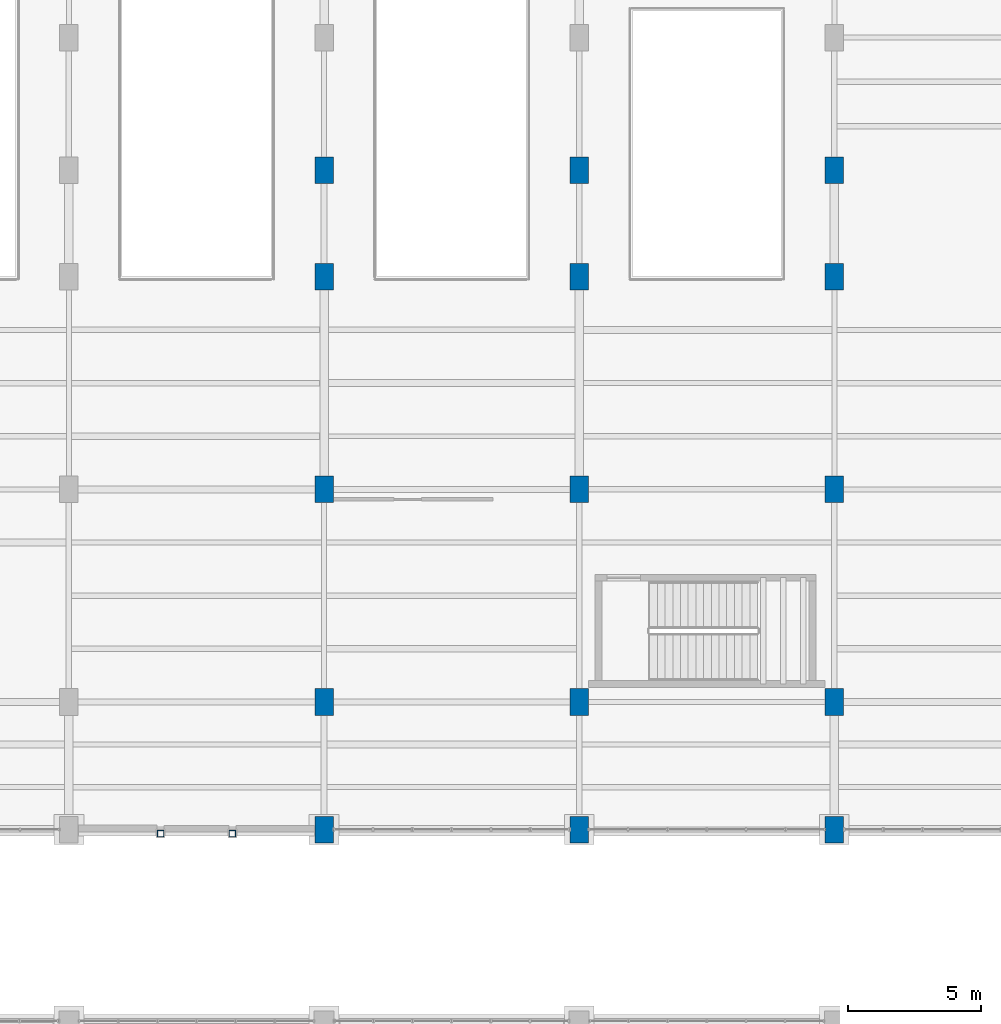
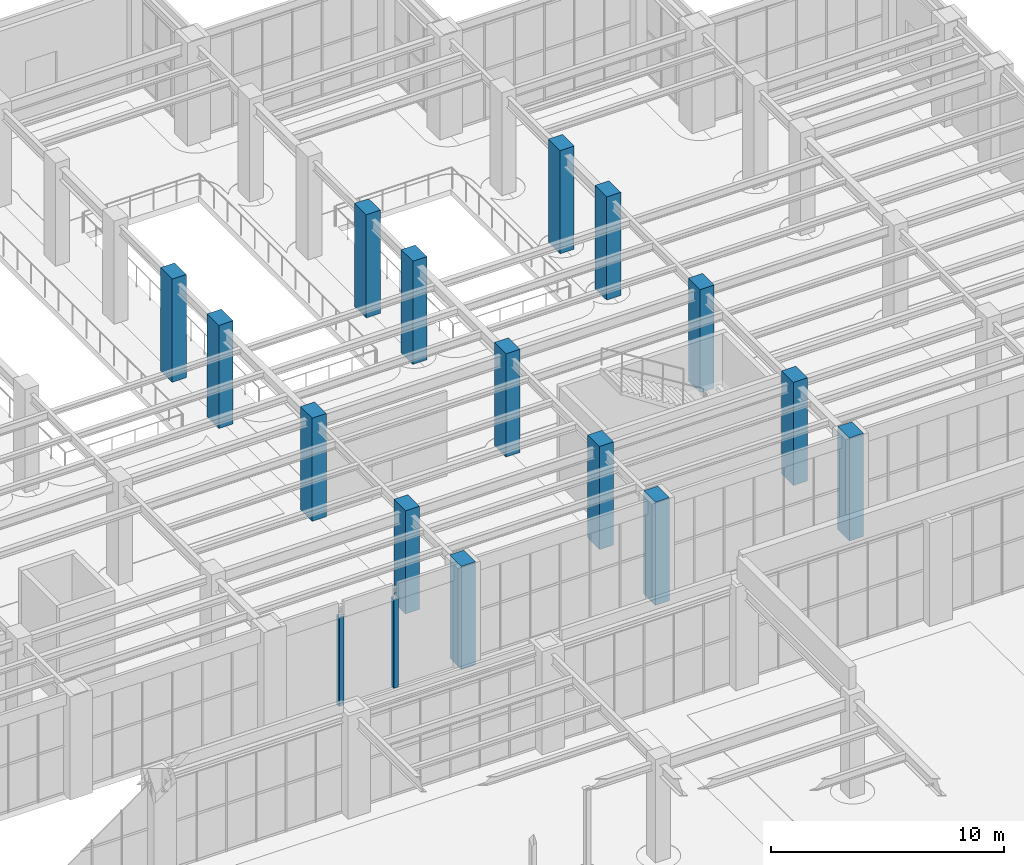
# One storey, part 21 of 164: 17 columns.
"""IFC4 building model written with IfcOpenShell, lengths in metres."""

from ifc_helpers import new_model, si_unit, direction, frame, origin, origin_2d, place, context, subcontext, project, spatial, rectangle, hollow_rectangle, extrude, material, material_profile, profile_set, type_object, element, save


model = new_model("IFC4")

# Units and contexts
model_context = context("Model", 3, precision=1e-05, world=origin(), true_north=direction((0.0, 1.0)))
body_context = subcontext(model_context, "Body", "Model", "MODEL_VIEW")
ifc_project = project(units=[si_unit("LENGTHUNIT", "METRE"), si_unit("AREAUNIT", "SQUARE_METRE"), si_unit("VOLUMEUNIT", "CUBIC_METRE"), si_unit("PLANEANGLEUNIT", "RADIAN"), si_unit("MASSUNIT", "GRAM", prefix="KILO")], contexts=[model_context])

# Site, building, storey
site_placement = place(None, origin())
site = spatial("IfcSite", under=ifc_project, at=site_placement, CompositionType="ELEMENT")
building_placement = place(site_placement, origin())
building = spatial("IfcBuilding", under=site, at=building_placement, Name="Mavantir Sound Aquarium", CompositionType="ELEMENT")
storey_placement = place(building_placement, origin())
storey = spatial("IfcBuildingStorey", under=building, at=storey_placement, Name="L00", CompositionType="ELEMENT", Elevation=0.0)

# Columns
ifc_material_1 = material(Name="Concrete C40/50", Category="concrete")
ifc_material_profile_1 = material_profile(ifc_material_1, rectangle(XDim=0.699951171875, YDim=1.0, at=origin_2d()), Name="RC 700X1000")
ifc_profile_set_1 = profile_set([ifc_material_profile_1], Name="Concrete C40/50")
column_type_1 = type_object("IfcColumnType", Name="COL-RC700X1000-I", PredefinedType="COLUMN", material=ifc_profile_set_1)
for number, where, z_axis, x_axis, name in (
    (1, (136.800048828125, 36.0, 0.0), (0.0, 0.0, 1.0), (1.0, 0.0, 0.0), "L00 column RC-C710 (V4)"),
    (2, (136.800048828125, 40.800048828125, 0.0), (0.0, 0.0, 1.0), (1.0, 0.0, 0.0), "L00 column RC-C710 (V4)"),
    (3, (136.800048828125, 48.800048828125, 0.0), (0.0, 0.0, 1.0), (1.0, 0.0, 0.0), "L00 column RC-C710 (V4)"),
    (4, (136.800048828125, 56.800048828125, 0.0), (0.0, 0.0, 1.0), (1.0, 0.0, 0.0), "L00 column RC-C710 (V4)"),
    (5, (136.800048828125, 60.800048828125, 0.0), (0.0, 0.0, 1.0), (1.0, 0.0, 0.0), "L00 column RC-C710 (V4)"),
    (6, (146.39990234375, 36.0, 0.0), (0.0, 0.0, 1.0), (1.0, 0.0, 0.0), "L00 column RC-C710 (V4)"),
    (7, (146.39990234375, 40.800048828125, 0.0), (0.0, 0.0, 1.0), (1.0, 0.0, 0.0), "L00 column RC-C710 (V4)"),
    (8, (146.39990234375, 48.800048828125, 0.0), (0.0, 0.0, 1.0), (1.0, 0.0, 0.0), "L00 column RC-C710 (V4)"),
    (9, (146.39990234375, 56.800048828125, 0.0), (0.0, 0.0, 1.0), (1.0, 0.0, 0.0), "L00 column RC-C710 (V4)"),
    (10, (146.39990234375, 60.800048828125, 0.0), (0.0, 0.0, 1.0), (1.0, 0.0, 0.0), "L00 column RC-C710 (V4)"),
    (11, (156.0, 36.0, 0.0), (0.0, 0.0, 1.0), (1.0, 0.0, 0.0), "L00 column RC-C710 (V4)"),
    (12, (156.0, 40.800048828125, 0.0), (0.0, 0.0, 1.0), (1.0, 0.0, 0.0), "L00 column RC-C710 (V4)"),
    (13, (156.0, 48.800048828125, 0.0), (0.0, 0.0, 1.0), (1.0, 0.0, 0.0), "L00 column RC-C710 (V4)"),
    (14, (156.0, 56.800048828125, 0.0), (0.0, 0.0, 1.0), (1.0, 0.0, 0.0), "L00 column RC-C710 (V4)"),
    (15, (156.0, 60.800048828125, 0.0), (0.0, 0.0, 1.0), (1.0, 0.0, 0.0), "L00 column RC-C710 (V4)"),
):
    element("IfcColumn", number, at=place(storey_placement, frame(where, z_axis=z_axis, x_axis=x_axis)), inside=storey, type_object=column_type_1, Name=name, PredefinedType="COLUMN", context=body_context, shape_type="SweptSolid", body=[
        extrude(rectangle(XDim=0.699951171875, YDim=1.0, at=origin_2d()), origin(), (0.0, 0.0, 1.0), 5.39990234375),
    ])
ifc_material_2 = material(Name="Hollow Structural Steel ASTM A500 GrC", Category="steel")
ifc_material_profile_2 = material_profile(ifc_material_2, hollow_rectangle(XDim=0.25, YDim=0.25, WallThickness=0.012451171875, InnerFilletRadius=0.012451171875, OuterFilletRadius=0.02490234375, at=origin_2d()), Name="SHS 250X250X12.5")
ifc_profile_set_2 = profile_set([ifc_material_profile_2], Name="Hollow Structural Steel ASTM A500 GrC")
column_type_2 = type_object("IfcColumnType", Name="COL-SHS250-E", PredefinedType="COLUMN", material=ifc_profile_set_2)
for number, where, z_axis, x_axis, name in (
    (16, (130.64990234375, 35.85009765625, 0.0), (0.0, 0.0, 1.0), (1.0, 0.0, 0.0), "Bridge support column 4.2 (L00)"),
    (17, (133.35009765625, 35.85009765625, 0.0), (0.0, 0.0, 1.0), (1.0, 0.0, 0.0), "Bridge support column 4.4 (L00)"),
):
    element("IfcColumn", number, at=place(storey_placement, frame(where, z_axis=z_axis, x_axis=x_axis)), inside=storey, type_object=column_type_2, Name=name, PredefinedType="COLUMN", context=body_context, shape_type="SweptSolid", body=[
        extrude(hollow_rectangle(XDim=0.25, YDim=0.25, WallThickness=0.012451171875, InnerFilletRadius=0.012451171875, OuterFilletRadius=0.02490234375, at=origin_2d()), origin(), (0.0, 0.0, 1.0), 4.65087890625),
    ])

save(model, "model.ifc")
